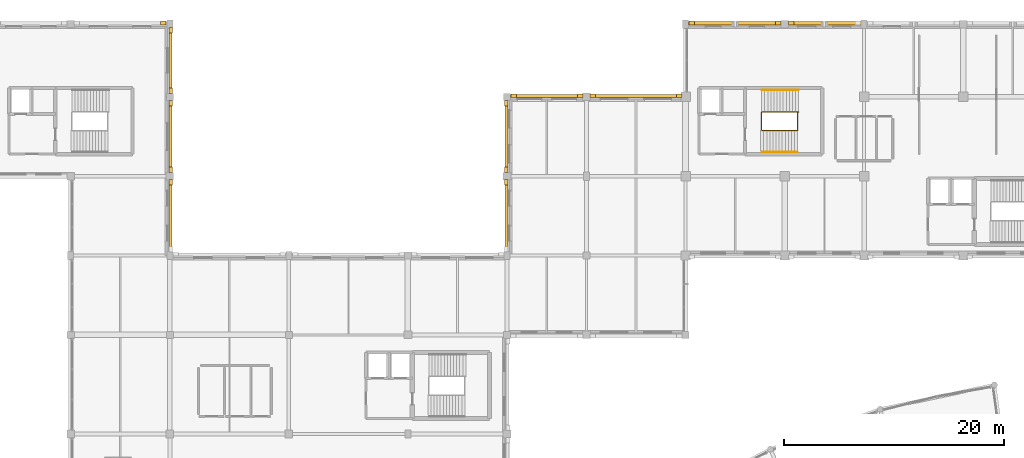
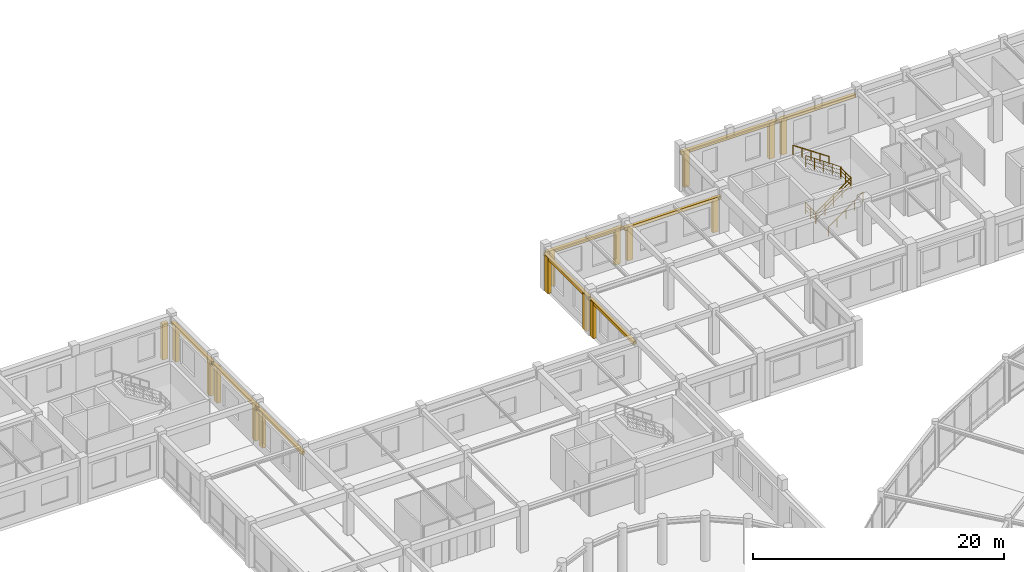
# One storey, part 59 of 62: 25 coverings, 6 railings.
"""IFC4 building model written with IfcOpenShell, lengths in metres."""

from ifc_helpers import new_model, si_unit, direction, frame, frame_2d, origin, origin_2d, place, context, subcontext, project, spatial, rectangle, circle, extrude, material, layer, layer_set, type_object, element, save


model = new_model("IFC4")

# Units and contexts
model_context = context("Model", 3, precision=1e-05, world=origin(), true_north=direction((0.0, 1.0)))
body_context = subcontext(model_context, "Body", "Model", "MODEL_VIEW")
ifc_project = project(units=[si_unit("LENGTHUNIT", "METRE"), si_unit("AREAUNIT", "SQUARE_METRE"), si_unit("VOLUMEUNIT", "CUBIC_METRE"), si_unit("PLANEANGLEUNIT", "RADIAN"), si_unit("MASSUNIT", "GRAM", prefix="KILO")], contexts=[model_context])

# Site, building, storey
site_placement = place(None, origin())
site = spatial("IfcSite", under=ifc_project, at=site_placement, CompositionType="ELEMENT")
building_placement = place(site_placement, origin())
building = spatial("IfcBuilding", under=site, at=building_placement, Name="Clarverna Civic Hall", CompositionType="ELEMENT")
storey_placement = place(building_placement, frame((0.0, 0.0, 5.10009765625)))
storey = spatial("IfcBuildingStorey", under=building, at=storey_placement, Name="L01", CompositionType="ELEMENT", Elevation=5.10009765625)

# Coverings
ifc_material_1 = material(Name="Montjuic Buff Limestone Ashlar Cladding", Category="masonry")
ifc_layer = layer(ifc_material_1, 0.070068359375)
ifc_layer_set = layer_set([ifc_layer], Name="Montjuic Buff Limestone Ashlar Cladding")
covering_type = type_object("IfcCoveringType", Name="CV-CL2", PredefinedType="CLADDING", material=ifc_layer_set)
covering_1_placement = place(storey_placement, frame((65.7548828125, 116.110107421875, 0.0), z_axis=(0.0, 0.0, 1.0), x_axis=(1.0, 0.0, 0.0)))
element("IfcCovering", 1, at=covering_1_placement, inside=storey, type_object=covering_type, Name="CV-CL2-224", PredefinedType="CLADDING", context=body_context, shape_type="SweptSolid", body=[
    extrude(rectangle(XDim=0.5, YDim=0.340087890625, at=frame_2d((0.25, 0.0))), origin(), (0.0, 0.0, 1.0), 3.5),
])
covering_2_placement = place(storey_placement, frame((66.655029296875, 115.93994140625, 3.219970703125), z_axis=(0.0, 0.0, 1.0), x_axis=(0.0, -1.0, 0.0)))
element("IfcCovering", 2, at=covering_2_placement, inside=storey, type_object=covering_type, Name="CV-CL2-225", PredefinedType="CLADDING", context=body_context, shape_type="SweptSolid", body=[
    extrude(rectangle(XDim=6.47998046875, YDim=0.280029296875, at=frame_2d((3.239990234375, 0.0))), origin(), (0.0, 0.0, 1.0), 0.300048828125),
])
for number, where, z_axis, x_axis, name in (
    (3, (66.68505859375, 115.679931640625, 0.0), (0.0, 0.0, 1.0), (0.0, -1.0, 0.0), "CV-CL2-226"),
    (4, (66.68505859375, 110.219970703125, 0.0), (0.0, 0.0, 1.0), (0.0, -1.0, 0.0), "CV-CL2-227"),
):
    element("IfcCovering", number, at=place(storey_placement, frame(where, z_axis=z_axis, x_axis=x_axis)), inside=storey, type_object=covering_type, Name=name, PredefinedType="CLADDING", context=body_context, shape_type="SweptSolid", body=[
        extrude(rectangle(XDim=0.5, YDim=0.340087890625, at=frame_2d((0.25, 0.0))), origin(), (0.0, 0.0, 1.0), 3.5),
    ])
covering_3_placement = place(storey_placement, frame((66.655029296875, 109.340087890625, 3.219970703125), z_axis=(0.0, 0.0, 1.0), x_axis=(0.0, -1.0, 0.0)))
element("IfcCovering", 5, at=covering_3_placement, inside=storey, type_object=covering_type, Name="CV-CL2-228", PredefinedType="CLADDING", context=body_context, shape_type="SweptSolid", body=[
    extrude(rectangle(XDim=7.080078125, YDim=0.280029296875, at=frame_2d((3.5400390625, 0.0))), origin(), (0.0, 0.0, 1.0), 0.300048828125),
])
for number, where, z_axis, x_axis, name in (
    (6, (66.68505859375, 109.080078125, 0.0), (0.0, 0.0, 1.0), (0.0, -1.0, 0.0), "CV-CL2-229"),
    (7, (66.68505859375, 103.02001953125, 0.0), (0.0, 0.0, 1.0), (0.0, -1.0, 0.0), "CV-CL2-230"),
):
    element("IfcCovering", number, at=place(storey_placement, frame(where, z_axis=z_axis, x_axis=x_axis)), inside=storey, type_object=covering_type, Name=name, PredefinedType="CLADDING", context=body_context, shape_type="SweptSolid", body=[
        extrude(rectangle(XDim=0.5, YDim=0.340087890625, at=frame_2d((0.25, 0.0))), origin(), (0.0, 0.0, 1.0), 3.5),
    ])
covering_4_placement = place(storey_placement, frame((66.655029296875, 102.139892578125, 3.179931640625), z_axis=(0.0, 0.0, 1.0), x_axis=(0.0, -1.0, 0.0)))
element("IfcCovering", 8, at=covering_4_placement, inside=storey, type_object=covering_type, Name="CV-CL2-231", PredefinedType="CLADDING", context=body_context, shape_type="SweptSolid", body=[
    extrude(rectangle(XDim=7.079833984375, YDim=0.280029296875, at=frame_2d((3.5400390625, 0.0))), origin(), (0.0, 0.0, 1.0), 0.300048828125),
])
covering_5_placement = place(storey_placement, frame((66.68505859375, 101.8798828125, 0.0), z_axis=(0.0, 0.0, 1.0), x_axis=(0.0, -1.0, 0.0)))
element("IfcCovering", 9, at=covering_5_placement, inside=storey, type_object=covering_type, Name="CV-CL2-232", PredefinedType="CLADDING", context=body_context, shape_type="SweptSolid", body=[
    extrude(rectangle(XDim=0.5, YDim=0.340087890625, at=frame_2d((0.25, 0.0))), origin(), (0.0, 0.0, 1.0), 3.4599609375),
])
covering_6_placement = place(storey_placement, frame((97.14501953125, 95.06005859375, 3.219970703125), z_axis=(0.0, 0.0, 1.0), x_axis=(0.0, 1.0, 0.0)))
element("IfcCovering", 10, at=covering_6_placement, inside=storey, type_object=covering_type, Name="CV-CL2-243", PredefinedType="CLADDING", context=body_context, shape_type="SweptSolid", body=[
    extrude(rectangle(XDim=7.079833984375, YDim=0.280029296875, at=frame_2d((3.5400390625, 0.0))), origin(), (0.0, 0.0, 1.0), 0.300048828125),
])
covering_7_placement = place(storey_placement, frame((97.114990234375, 101.3798828125, 0.0), z_axis=(0.0, 0.0, 1.0), x_axis=(0.0, 1.0, 0.0)))
element("IfcCovering", 11, at=covering_7_placement, inside=storey, type_object=covering_type, Name="CV-CL2-245", PredefinedType="CLADDING", context=body_context, shape_type="SweptSolid", body=[
    extrude(rectangle(XDim=0.5, YDim=0.340087890625, at=frame_2d((0.25, 0.0))), origin(), (0.0, 0.0, 1.0), 3.5),
])
covering_8_placement = place(storey_placement, frame((97.14501953125, 102.260009765625, 3.219970703125), z_axis=(0.0, 0.0, 1.0), x_axis=(0.0, 1.0, 0.0)))
element("IfcCovering", 12, at=covering_8_placement, inside=storey, type_object=covering_type, Name="CV-CL2-246", PredefinedType="CLADDING", context=body_context, shape_type="SweptSolid", body=[
    extrude(rectangle(XDim=7.080078125, YDim=0.280029296875, at=frame_2d((3.5400390625, 0.0))), origin(), (0.0, 0.0, 1.0), 0.300048828125),
])
for number, where, z_axis, x_axis, name in (
    (13, (97.114990234375, 102.52001953125, 0.0), (0.0, 0.0, 1.0), (0.0, 1.0, 0.0), "CV-CL2-247"),
    (14, (97.114990234375, 108.580078125, 0.0), (0.0, 0.0, 1.0), (0.0, 1.0, 0.0), "CV-CL2-248"),
):
    element("IfcCovering", number, at=place(storey_placement, frame(where, z_axis=z_axis, x_axis=x_axis)), inside=storey, type_object=covering_type, Name=name, PredefinedType="CLADDING", context=body_context, shape_type="SweptSolid", body=[
        extrude(rectangle(XDim=0.5, YDim=0.340087890625, at=frame_2d((0.25, 0.0))), origin(), (0.0, 0.0, 1.0), 3.5),
    ])
covering_9_placement = place(storey_placement, frame((97.284912109375, 109.47998046875, 3.219970703125), z_axis=(0.0, 0.0, 1.0), x_axis=(1.0, 0.0, 0.0)))
element("IfcCovering", 15, at=covering_9_placement, inside=storey, type_object=covering_type, Name="CV-CL2-249", PredefinedType="CLADDING", context=body_context, shape_type="SweptSolid", body=[
    extrude(rectangle(XDim=7.05517578125, YDim=0.280029296875, at=frame_2d((3.527587890625, 0.0))), origin(), (0.0, 0.0, 1.0), 0.300048828125),
])
for number, where, z_axis, x_axis, name in (
    (16, (97.544921875, 109.510009765625, 0.0), (0.0, 0.0, 1.0), (1.0, 0.0, 0.0), "CV-CL2-250"),
    (17, (103.580078125, 109.510009765625, 0.0), (0.0, 0.0, 1.0), (1.0, 0.0, 0.0), "CV-CL2-251"),
):
    element("IfcCovering", number, at=place(storey_placement, frame(where, z_axis=z_axis, x_axis=x_axis)), inside=storey, type_object=covering_type, Name=name, PredefinedType="CLADDING", context=body_context, shape_type="SweptSolid", body=[
        extrude(rectangle(XDim=0.5, YDim=0.340087890625, at=frame_2d((0.25, 0.0))), origin(), (0.0, 0.0, 1.0), 3.5),
    ])
covering_10_placement = place(storey_placement, frame((104.4599609375, 109.47998046875, 3.039794921875), z_axis=(0.0, 0.0, 1.0), x_axis=(1.0, 0.0, 0.0)))
element("IfcCovering", 18, at=covering_10_placement, inside=storey, type_object=covering_type, Name="CV-CL2-252", PredefinedType="CLADDING", context=body_context, shape_type="SweptSolid", body=[
    extrude(rectangle(XDim=8.880126953125, YDim=0.280029296875, at=frame_2d((4.43994140625, 0.0))), origin(), (0.0, 0.0, 1.0), 0.300048828125),
])
for number, where, z_axis, x_axis, name in (
    (19, (104.719970703125, 109.510009765625, 0.0), (0.0, 0.0, 1.0), (1.0, 0.0, 0.0), "CV-CL2-253"),
    (20, (112.580078125, 109.510009765625, 0.0), (0.0, 0.0, 1.0), (1.0, 0.0, 0.0), "CV-CL2-254"),
):
    element("IfcCovering", number, at=place(storey_placement, frame(where, z_axis=z_axis, x_axis=x_axis)), inside=storey, type_object=covering_type, Name=name, PredefinedType="CLADDING", context=body_context, shape_type="SweptSolid", body=[
        extrude(rectangle(XDim=0.5, YDim=0.340087890625, at=frame_2d((0.25, 0.0))), origin(), (0.0, 0.0, 1.0), 3.31982421875),
    ])
covering_11_placement = place(storey_placement, frame((113.4599609375, 116.080078125, 3.260009765625), z_axis=(0.0, 0.0, 1.0), x_axis=(1.0, 0.0, 0.0)))
element("IfcCovering", 21, at=covering_11_placement, inside=storey, type_object=covering_type, Name="CV-CL2-255", PredefinedType="CLADDING", context=body_context, shape_type="SweptSolid", body=[
    extrude(rectangle(XDim=8.880126953125, YDim=0.280029296875, at=frame_2d((4.43994140625, 0.0))), origin(), (0.0, 0.0, 1.0), 0.2998046875),
])
for number, where, z_axis, x_axis, name in (
    (22, (113.719970703125, 116.110107421875, 0.0), (0.0, 0.0, 1.0), (1.0, 0.0, 0.0), "CV-CL2-256"),
    (23, (121.580078125, 116.110107421875, 0.0), (0.0, 0.0, 1.0), (1.0, 0.0, 0.0), "CV-CL2-257"),
):
    element("IfcCovering", number, at=place(storey_placement, frame(where, z_axis=z_axis, x_axis=x_axis)), inside=storey, type_object=covering_type, Name=name, PredefinedType="CLADDING", context=body_context, shape_type="SweptSolid", body=[
        extrude(rectangle(XDim=0.5, YDim=0.340087890625, at=frame_2d((0.25, 0.0))), origin(), (0.0, 0.0, 1.0), 3.539794921875),
    ])
covering_12_placement = place(storey_placement, frame((122.4599609375, 116.080078125, 3.260009765625), z_axis=(0.0, 0.0, 1.0), x_axis=(1.0, 0.0, 0.0)))
element("IfcCovering", 24, at=covering_12_placement, inside=storey, type_object=covering_type, Name="CV-CL2-258", PredefinedType="CLADDING", context=body_context, shape_type="SweptSolid", body=[
    extrude(rectangle(XDim=7.080078125, YDim=0.280029296875, at=frame_2d((3.5400390625, 0.0))), origin(), (0.0, 0.0, 1.0), 0.2998046875),
])
covering_13_placement = place(storey_placement, frame((122.719970703125, 116.110107421875, 0.0), z_axis=(0.0, 0.0, 1.0), x_axis=(1.0, 0.0, 0.0)))
element("IfcCovering", 25, at=covering_13_placement, inside=storey, type_object=covering_type, Name="CV-CL2-259", PredefinedType="CLADDING", context=body_context, shape_type="SweptSolid", body=[
    extrude(rectangle(XDim=0.5, YDim=0.340087890625, at=frame_2d((0.25, 0.0))), origin(), (0.0, 0.0, 1.0), 3.539794921875),
])

# Railings
ifc_material_2 = material(Name="Anodised Bronze Architectural Balustrade")
railing_type_1 = type_object("IfcRailingType", Name="GR-02", PredefinedType="BALUSTRADE", material=ifc_material_2)
railing_1_placement = place(storey_placement, frame((120.35009765625, 106.360107421875, 0.0)))
element("IfcRailing", 26, at=railing_1_placement, inside=storey, type_object=railing_type_1, Name="GR-02-159", PredefinedType="BALUSTRADE", context=body_context, shape_type="SweptSolid", body=[
    extrude(circle(Radius=0.02392578125, at=origin_2d()), frame((0.0, 0.0, 1.09619140625), z_axis=(0.818437354115, 0.0, 0.574595768684), x_axis=(0.0, 1.0, 0.0)), (0.0, 0.0, 1.0), 3.915771484375),
    extrude(circle(Radius=0.011962890625, at=origin_2d()), frame((0.0, 0.0, 0.39208984375), z_axis=(0.818437354115, 0.0, 0.574595768684), x_axis=(0.0, 1.0, 0.0)), (0.0, 0.0, 1.0), 3.915771484375),
    extrude(circle(Radius=0.011962890625, at=origin_2d()), frame((0.0, 0.0, 0.76171875), z_axis=(0.818437354115, 0.0, 0.574595768684), x_axis=(0.0, 1.0, 0.0)), (0.0, 0.0, 1.0), 3.915771484375),
    extrude(circle(Radius=0.02099609375, at=origin_2d()), origin(), (0.0, 0.0, 1.0), 1.072021484375),
    extrude(circle(Radius=0.02099609375, at=origin_2d()), frame((0.80126953125, 0.0, 0.5625)), (0.0, 0.0, 1.0), 1.072021484375),
    extrude(circle(Radius=0.02099609375, at=origin_2d()), frame((1.6025390625, 0.0, 1.125)), (0.0, 0.0, 1.0), 1.072021484375),
    extrude(circle(Radius=0.02099609375, at=origin_2d()), frame((2.403564453125, 0.0, 1.6875)), (0.0, 0.0, 1.0), 1.072021484375),
    extrude(circle(Radius=0.02099609375, at=origin_2d()), frame((3.204833984375, 0.0, 2.25)), (0.0, 0.0, 1.0), 1.072021484375),
])
railing_2_placement = place(storey_placement, frame((123.554931640625, 106.360107421875, 2.25)))
element("IfcRailing", 27, at=railing_2_placement, inside=storey, type_object=railing_type_1, Name="GR-02-160", PredefinedType="BALUSTRADE", context=body_context, shape_type="SweptSolid", body=[
    extrude(circle(Radius=0.02392578125, at=origin_2d()), frame((0.0, 0.0, 1.09619140625), z_axis=(0.0, 1.0, 0.0), x_axis=(-1.0, 0.0, 0.0)), (0.0, 0.0, 1.0), 1.679931640625),
    extrude(circle(Radius=0.011962890625, at=origin_2d()), frame((0.0, 0.0, 0.39208984375), z_axis=(0.0, 1.0, 0.0), x_axis=(-1.0, 0.0, 0.0)), (0.0, 0.0, 1.0), 1.679931640625),
    extrude(circle(Radius=0.011962890625, at=origin_2d()), frame((0.0, 0.0, 0.76171875), z_axis=(0.0, 1.0, 0.0), x_axis=(-1.0, 0.0, 0.0)), (0.0, 0.0, 1.0), 1.679931640625),
    extrude(circle(Radius=0.02099609375, at=origin_2d()), origin(), (0.0, 0.0, 1.0), 1.072021484375),
    extrude(circle(Radius=0.02099609375, at=origin_2d()), frame((0.0, 0.83984375, 0.0)), (0.0, 0.0, 1.0), 1.072021484375),
    extrude(circle(Radius=0.02099609375, at=origin_2d()), frame((0.0, 1.679931640625, 0.0)), (0.0, 0.0, 1.0), 1.072021484375),
])
railing_3_placement = place(storey_placement, frame((123.64501953125, 108.0400390625, 2.25)))
element("IfcRailing", 28, at=railing_3_placement, inside=storey, type_object=railing_type_1, Name="GR-02-161", PredefinedType="BALUSTRADE", context=body_context, shape_type="SweptSolid", body=[
    extrude(circle(Radius=0.02392578125, at=origin_2d()), frame((0.0, 0.0, 1.09619140625), z_axis=(-0.825823223194, 0.0, 0.563929077131), x_axis=(0.0, -1.0, 0.0)), (0.0, 0.0, 1.0), 3.98974609375),
    extrude(circle(Radius=0.011962890625, at=origin_2d()), frame((0.0, 0.0, 0.39208984375), z_axis=(-0.825823223194, 0.0, 0.563929077131), x_axis=(0.0, -1.0, 0.0)), (0.0, 0.0, 1.0), 3.98974609375),
    extrude(circle(Radius=0.011962890625, at=origin_2d()), frame((0.0, 0.0, 0.76171875), z_axis=(-0.825823223194, 0.0, 0.563929077131), x_axis=(0.0, -1.0, 0.0)), (0.0, 0.0, 1.0), 3.98974609375),
    extrude(circle(Radius=0.02099609375, at=origin_2d()), origin(), (0.0, 0.0, 1.0), 1.072021484375),
    extrude(circle(Radius=0.02099609375, at=origin_2d()), frame((-0.82373046875, 0.0, 0.5625)), (0.0, 0.0, 1.0), 1.072021484375),
    extrude(circle(Radius=0.02099609375, at=origin_2d()), frame((-1.6474609375, 0.0, 1.125)), (0.0, 0.0, 1.0), 1.072021484375),
    extrude(circle(Radius=0.02099609375, at=origin_2d()), frame((-2.47119140625, 0.0, 1.6875)), (0.0, 0.0, 1.0), 1.072021484375),
    extrude(circle(Radius=0.02099609375, at=origin_2d()), frame((-3.294921875, 0.0, 2.25)), (0.0, 0.0, 1.0), 1.072021484375),
])
railing_4_placement = place(storey_placement, frame((120.31005859375, 106.39990234375, 0.0)))
element("IfcRailing", 29, at=railing_4_placement, inside=storey, type_object=railing_type_1, Name="GR-02-162", PredefinedType="BALUSTRADE", context=body_context, shape_type="SweptSolid", body=[
    extrude(circle(Radius=0.02392578125, at=origin_2d()), frame((0.0, 0.0, 1.09619140625), z_axis=(0.0, 1.0, 0.0), x_axis=(-1.0, 0.0, 0.0)), (0.0, 0.0, 1.0), 1.60009765625),
    extrude(circle(Radius=0.011962890625, at=origin_2d()), frame((0.0, 0.0, 0.39208984375), z_axis=(0.0, 1.0, 0.0), x_axis=(-1.0, 0.0, 0.0)), (0.0, 0.0, 1.0), 1.60009765625),
    extrude(circle(Radius=0.011962890625, at=origin_2d()), frame((0.0, 0.0, 0.76171875), z_axis=(0.0, 1.0, 0.0), x_axis=(-1.0, 0.0, 0.0)), (0.0, 0.0, 1.0), 1.60009765625),
    extrude(circle(Radius=0.02099609375, at=origin_2d()), origin(), (0.0, 0.0, 1.0), 1.072021484375),
    extrude(circle(Radius=0.02099609375, at=origin_2d()), frame((0.0, 0.800048828125, 0.0)), (0.0, 0.0, 1.0), 1.072021484375),
    extrude(circle(Radius=0.02099609375, at=origin_2d()), frame((0.0, 1.60009765625, 0.0)), (0.0, 0.0, 1.0), 1.072021484375),
])
ifc_material_3 = material(Name="Anodised Bronze Continuous Handrail")
railing_type_2 = type_object("IfcRailingType", Name="HR-01", PredefinedType="HANDRAIL", material=ifc_material_3)
railing_5_placement = place(storey_placement, frame((120.35009765625, 104.3798828125, 0.0)))
element("IfcRailing", 30, at=railing_5_placement, inside=storey, type_object=railing_type_2, Name="HR-01-079", PredefinedType="HANDRAIL", context=body_context, shape_type="SweptSolid", body=[
    extrude(circle(Radius=0.02392578125, at=origin_2d()), frame((0.0, 0.0, 0.89599609375), z_axis=(0.817175802515, 0.0, 0.576388504208), x_axis=(0.0, 1.0, 0.0)), (0.0, 0.0, 1.0), 3.903564453125),
    extrude(circle(Radius=0.02099609375, at=origin_2d()), origin(), (0.0, 0.0, 1.0), 0.871826171875),
    extrude(circle(Radius=0.02099609375, at=origin_2d()), frame((0.79736328125, 0.0, 0.5625)), (0.0, 0.0, 1.0), 0.871826171875),
    extrude(circle(Radius=0.02099609375, at=origin_2d()), frame((1.594970703125, 0.0, 1.125)), (0.0, 0.0, 1.0), 0.871826171875),
    extrude(circle(Radius=0.02099609375, at=origin_2d()), frame((2.392578125, 0.0, 1.6875)), (0.0, 0.0, 1.0), 0.871826171875),
    extrude(circle(Radius=0.02099609375, at=origin_2d()), frame((3.18994140625, 0.0, 2.25)), (0.0, 0.0, 1.0), 0.871826171875),
])
railing_6_placement = place(storey_placement, frame((123.659912109375, 110.02001953125, 2.25)))
element("IfcRailing", 31, at=railing_6_placement, inside=storey, type_object=railing_type_2, Name="HR-01-080", PredefinedType="HANDRAIL", context=body_context, shape_type="SweptSolid", body=[
    extrude(circle(Radius=0.02392578125, at=origin_2d()), frame((0.0, 0.0, 0.89599609375), z_axis=(-0.827004782243, 0.0, 0.562194886269), x_axis=(0.0, -1.0, 0.0)), (0.0, 0.0, 1.0), 4.002197265625),
    extrude(circle(Radius=0.02099609375, at=origin_2d()), origin(), (0.0, 0.0, 1.0), 0.871826171875),
    extrude(circle(Radius=0.02099609375, at=origin_2d()), frame((-0.827392578125, 0.0, 0.5625)), (0.0, 0.0, 1.0), 0.871826171875),
    extrude(circle(Radius=0.02099609375, at=origin_2d()), frame((-1.65478515625, 0.0, 1.125)), (0.0, 0.0, 1.0), 0.871826171875),
    extrude(circle(Radius=0.02099609375, at=origin_2d()), frame((-2.482421875, 0.0, 1.6875)), (0.0, 0.0, 1.0), 0.871826171875),
    extrude(circle(Radius=0.02099609375, at=origin_2d()), frame((-3.309814453125, 0.0, 2.25)), (0.0, 0.0, 1.0), 0.871826171875),
])

save(model, "model.ifc")
